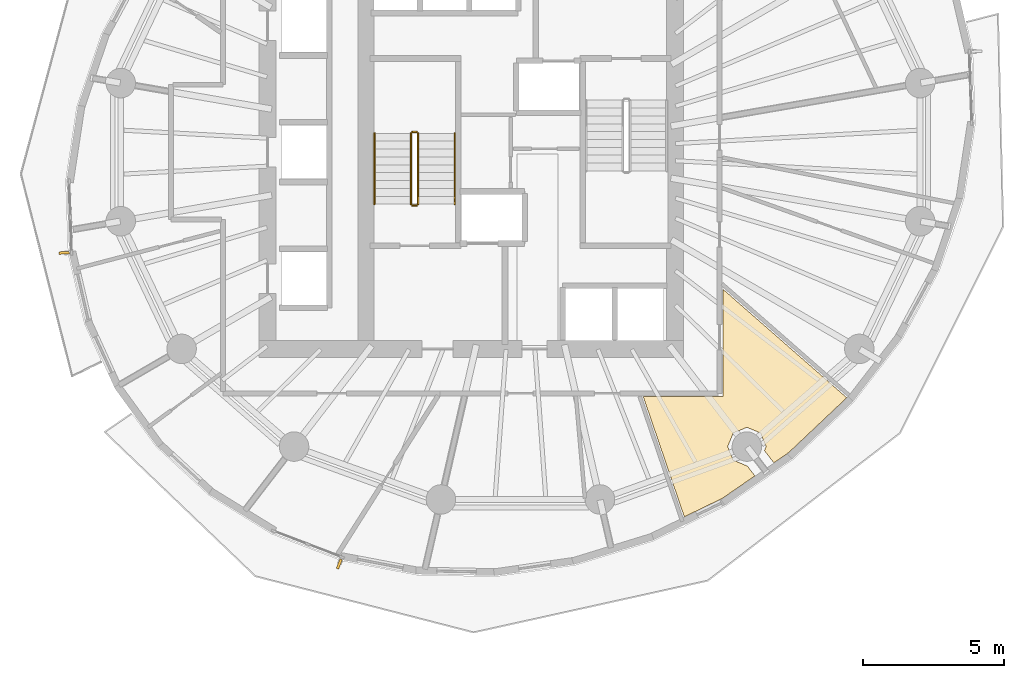
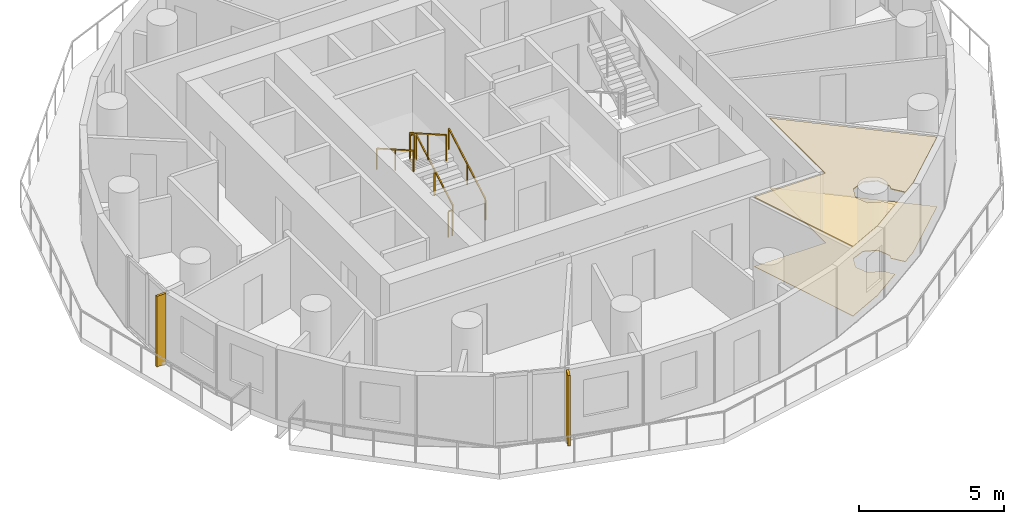
# One storey, part 10 of 14: 6 railings, 2 coverings, 2 shading devices.
"""IFC4 building model written with IfcOpenShell, lengths in metres."""

from ifc_helpers import new_model, si_unit, direction, frame, origin, origin_2d, place, context, subcontext, project, spatial, polyline, rectangle, outline, extrude, material, layer, layer_set, type_object, element, save


model = new_model("IFC4")

# Units and contexts
model_context = context("Model", 3, precision=1e-05, world=origin(), true_north=direction((0.0, 1.0)))
body_context = subcontext(model_context, "Body", "Model", "MODEL_VIEW")
ifc_project = project(units=[si_unit("LENGTHUNIT", "METRE"), si_unit("AREAUNIT", "SQUARE_METRE"), si_unit("VOLUMEUNIT", "CUBIC_METRE"), si_unit("PLANEANGLEUNIT", "RADIAN"), si_unit("MASSUNIT", "GRAM", prefix="KILO")], contexts=[model_context])

# Site, building, storey
site_placement = place(None, origin())
site = spatial("IfcSite", under=ifc_project, at=site_placement, CompositionType="ELEMENT")
building_placement = place(site_placement, origin())
building = spatial("IfcBuilding", under=site, at=building_placement, Name="Veldorim Arch Residences", CompositionType="ELEMENT")
storey_placement = place(building_placement, frame((0.0, 0.0, 129.760009765625)))
storey = spatial("IfcBuildingStorey", under=building, at=storey_placement, Name="L38", CompositionType="ELEMENT", Elevation=129.760009765625)

# Railings
ifc_material_1 = material(Name="Steel S355", Category="steel")
railing_type_1 = type_object("IfcRailingType", Name="Galvanised Steel Stair Safety Guardrail 1100", PredefinedType="GUARDRAIL", material=ifc_material_1)
railing_1_placement = place(storey_placement, frame((28.360107421875, 22.14990234375, 0.159912109375)))
element("IfcRailing", 1, at=railing_1_placement, inside=storey, type_object=railing_type_1, Name="L38 ST-1 stair guard 1", PredefinedType="GUARDRAIL", context=body_context, shape_type="SweptSolid", body=[
    extrude(rectangle(XDim=0.048095703125, YDim=0.048095703125, at=origin_2d()), frame((0.0, 0.0, 1.076171875), z_axis=(0.0, 0.868217259934, 0.496184229447), x_axis=(-1.0, 0.0, 0.0)), (0.0, 0.0, 1.0), 2.902587890625),
    extrude(rectangle(XDim=0.0419921875, YDim=0.0419921875, at=origin_2d()), origin(), (0.0, 0.0, 1.0), 1.052001953125),
    extrude(rectangle(XDim=0.0419921875, YDim=0.0419921875, at=origin_2d()), frame((0.0, 1.260009765625, 0.72021484375)), (0.0, 0.0, 1.0), 1.052001953125),
    extrude(rectangle(XDim=0.0419921875, YDim=0.0419921875, at=origin_2d()), frame((0.0, 2.52001953125, 1.440185546875)), (0.0, 0.0, 1.0), 1.052001953125),
])
railing_2_placement = place(storey_placement, frame((28.31005859375, 24.719970703125, 1.60009765625)))
element("IfcRailing", 2, at=railing_2_placement, inside=storey, type_object=railing_type_1, Name="L38 ST-1 stair guard 2", PredefinedType="GUARDRAIL", context=body_context, shape_type="SweptSolid", body=[
    extrude(rectangle(XDim=0.048095703125, YDim=0.048095703125, at=origin_2d()), frame((0.0, 0.0, 1.076171875), z_axis=(-1.0, 0.0, 0.0), x_axis=(0.0, -1.0, 0.0)), (0.0, 0.0, 1.0), 0.16015625),
    extrude(rectangle(XDim=0.0419921875, YDim=0.0419921875, at=origin_2d()), origin(), (0.0, 0.0, 1.0), 1.052001953125),
    extrude(rectangle(XDim=0.0419921875, YDim=0.0419921875, at=origin_2d()), frame((-0.16015625, 0.0, 0.0)), (0.0, 0.0, 1.0), 1.052001953125),
])
railing_3_placement = place(storey_placement, frame((28.10009765625, 24.669921875, 1.760009765625)))
element("IfcRailing", 3, at=railing_3_placement, inside=storey, type_object=railing_type_1, Name="L38 ST-1 stair guard 3", PredefinedType="GUARDRAIL", context=body_context, shape_type="SweptSolid", body=[
    extrude(rectangle(XDim=0.048095703125, YDim=0.048095703125, at=origin_2d()), frame((0.0, 0.0, 1.076171875), z_axis=(0.0, -0.868253494771, 0.496120820787), x_axis=(1.0, 0.0, 0.0)), (0.0, 0.0, 1.0), 2.90234375),
    extrude(rectangle(XDim=0.0419921875, YDim=0.0419921875, at=origin_2d()), origin(), (0.0, 0.0, 1.0), 1.052001953125),
    extrude(rectangle(XDim=0.0419921875, YDim=0.0419921875, at=origin_2d()), frame((0.0, -1.260009765625, 0.719970703125)), (0.0, 0.0, 1.0), 1.052001953125),
    extrude(rectangle(XDim=0.0419921875, YDim=0.0419921875, at=origin_2d()), frame((0.0, -2.52001953125, 1.43994140625)), (0.0, 0.0, 1.0), 1.052001953125),
])
railing_4_placement = place(storey_placement, frame((28.31005859375, 22.10009765625, 0.0)))
element("IfcRailing", 4, at=railing_4_placement, inside=storey, type_object=railing_type_1, Name="L38 ST-1 stair guard 4", PredefinedType="GUARDRAIL", context=body_context, shape_type="SweptSolid", body=[
    extrude(rectangle(XDim=0.048095703125, YDim=0.048095703125, at=origin_2d()), frame((0.0, 0.0, 1.076171875), z_axis=(-1.0, 0.0, 0.0), x_axis=(0.0, -1.0, 0.0)), (0.0, 0.0, 1.0), 0.16015625),
    extrude(rectangle(XDim=0.0419921875, YDim=0.0419921875, at=origin_2d()), origin(), (0.0, 0.0, 1.0), 1.052001953125),
    extrude(rectangle(XDim=0.0419921875, YDim=0.0419921875, at=origin_2d()), frame((-0.16015625, 0.0, 0.0)), (0.0, 0.0, 1.0), 1.052001953125),
])

# Coverings
ifc_material_2 = material(Name="Acoustic Gypsum & Mineral Fibre", Category="gypsum")
ifc_layer_1 = layer(ifc_material_2, 0.034912109375, Name="Perforated Acoustic Mineral-Fibre Ceiling 35")
ifc_layer_set_1 = layer_set([ifc_layer_1], Name="Acoustic Gypsum & Mineral Fibre")
covering_type_1 = type_object("IfcCoveringType", Name="Perforated Acoustic Mineral-Fibre Ceiling 35", PredefinedType="CEILING", material=ifc_layer_set_1)
covering_1_placement = place(storey_placement, frame((0.0, 0.0, 2.905029296875)))
element("IfcCovering", 5, at=covering_1_placement, inside=storey, type_object=covering_type_1, Name="L38 acoustic suspended ceiling 02", PredefinedType="CEILING", context=body_context, shape_type="SweptSolid", body=[
    extrude(outline(polyline([(40.341552734375, 12.481201171875), (39.181396484375, 11.68115234375), (37.830078125, 11.025390625), (36.368896484375, 15.300048828125), (39.199951171875, 15.300048828125), (39.199951171875, 19.126708984375), (43.610595703125, 15.26171875), (41.542724609375, 13.3095703125), (41.015380859375, 12.946044921875), (40.681396484375, 13.38037109375), (40.74072265625, 13.5234375), (40.5400390625, 14.0078125), (40.055908203125, 14.20849609375), (39.571533203125, 14.0078125), (39.370849609375, 13.5234375), (39.571533203125, 13.039306640625), (40.055908203125, 12.838623046875), (40.064208984375, 12.842041015625), (40.341552734375, 12.481201171875)])), origin(), (0.0, 0.0, 1.0), 0.034912109375),
])
ifc_material_3 = material(Name="Porcelain Ceramic Tile", Category="ceramic")
ifc_layer_2 = layer(ifc_material_3, 0.02001953125, Name="Slip-Resistant Porcelain & Vinyl Floor Finish 20")
ifc_layer_set_2 = layer_set([ifc_layer_2], Name="Porcelain Ceramic Tile")
covering_type_2 = type_object("IfcCoveringType", Name="Slip-Resistant Porcelain & Vinyl Floor Finish 20", PredefinedType="FLOORING", material=ifc_layer_set_2)
covering_2_placement = place(storey_placement, origin())
element("IfcCovering", 6, at=covering_2_placement, inside=storey, type_object=covering_type_2, Name="L38 porcelain floor finish 02", PredefinedType="FLOORING", context=body_context, shape_type="SweptSolid", body=[
    extrude(outline(polyline([(40.341552734375, 12.481201171875), (39.181396484375, 11.68115234375), (37.830078125, 11.025390625), (36.368896484375, 15.300048828125), (39.199951171875, 15.300048828125), (39.199951171875, 19.126708984375), (43.610595703125, 15.26171875), (41.542724609375, 13.3095703125), (41.015380859375, 12.946044921875), (40.681396484375, 13.38037109375), (40.74072265625, 13.5234375), (40.5400390625, 14.0078125), (40.055908203125, 14.20849609375), (39.571533203125, 14.0078125), (39.370849609375, 13.5234375), (39.571533203125, 13.039306640625), (40.055908203125, 12.838623046875), (40.064208984375, 12.842041015625), (40.341552734375, 12.481201171875)])), origin(), (0.0, 0.0, 1.0), 0.02001953125),
])

# Railings
ifc_material_4 = material(Name="Stainless Steel", Category="steel")
railing_type_2 = type_object("IfcRailingType", Name="Tubular Steel Continuous Wall Handrail 900", PredefinedType="HANDRAIL", material=ifc_material_4)
railing_5_placement = place(storey_placement, frame((29.659912109375, 22.14990234375, 0.159912109375)))
element("IfcRailing", 7, at=railing_5_placement, inside=storey, type_object=railing_type_2, Name="L38 ST-1 stair handrail 1", PredefinedType="HANDRAIL", context=body_context, shape_type="SweptSolid", body=[
    extrude(rectangle(XDim=0.048095703125, YDim=0.048095703125, at=origin_2d()), frame((0.0, 0.0, 0.8759765625), z_axis=(0.0, 0.868217259934, 0.496184229447), x_axis=(-1.0, 0.0, 0.0)), (0.0, 0.0, 1.0), 2.902587890625),
    extrude(rectangle(XDim=0.0419921875, YDim=0.0419921875, at=origin_2d()), origin(), (0.0, 0.0, 1.0), 0.851806640625),
    extrude(rectangle(XDim=0.0419921875, YDim=0.0419921875, at=origin_2d()), frame((0.0, 1.260009765625, 0.72021484375)), (0.0, 0.0, 1.0), 0.851806640625),
    extrude(rectangle(XDim=0.0419921875, YDim=0.0419921875, at=origin_2d()), frame((0.0, 2.52001953125, 1.440185546875)), (0.0, 0.0, 1.0), 0.851806640625),
])
railing_6_placement = place(storey_placement, frame((26.800048828125, 24.669921875, 1.760009765625)))
element("IfcRailing", 8, at=railing_6_placement, inside=storey, type_object=railing_type_2, Name="L38 ST-1 stair handrail 2", PredefinedType="HANDRAIL", context=body_context, shape_type="SweptSolid", body=[
    extrude(rectangle(XDim=0.048095703125, YDim=0.048095703125, at=origin_2d()), frame((0.0, 0.0, 0.8759765625), z_axis=(0.0, -0.868253494771, 0.496120820787), x_axis=(1.0, 0.0, 0.0)), (0.0, 0.0, 1.0), 2.90234375),
    extrude(rectangle(XDim=0.0419921875, YDim=0.0419921875, at=origin_2d()), origin(), (0.0, 0.0, 1.0), 0.851806640625),
    extrude(rectangle(XDim=0.0419921875, YDim=0.0419921875, at=origin_2d()), frame((0.0, -1.260009765625, 0.719970703125)), (0.0, 0.0, 1.0), 0.851806640625),
    extrude(rectangle(XDim=0.0419921875, YDim=0.0419921875, at=origin_2d()), frame((0.0, -2.52001953125, 1.43994140625)), (0.0, 0.0, 1.0), 0.851806640625),
])

# Shading devices
ifc_material_5 = material(Name="Terracotta Ceramic", Category="masonry")
ifc_layer_3 = layer(ifc_material_5, 0.090087890625, Name="Vertical Extruded Terracotta Baguette Sun-Shading Fin")
ifc_layer_set_3 = layer_set([ifc_layer_3], Name="Terracotta Ceramic")
shading_device_type = type_object("IfcShadingDeviceType", Name="Vertical Extruded Terracotta Baguette Sun-Shading Fin", PredefinedType="USERDEFINED", material=ifc_layer_set_3)
for number, where, z_axis, x_axis, name in (
    (9, (15.765380859375, 20.416015625, 0.0), (0.0, 0.0, 1.0), (-0.035422771708, 0.999372416692, 0.0), "L38 vertical terracotta sun-shading fin 16"),
    (10, (25.552978515625, 9.343017578125, 0.0), (0.0, 0.0, 1.0), (-0.934079892355, 0.357064076459, 0.0), "L38 vertical terracotta sun-shading fin 22"),
):
    element("IfcShadingDevice", number, at=place(storey_placement, frame(where, z_axis=z_axis, x_axis=x_axis)), inside=storey, type_object=shading_device_type, Name=name, ObjectType="FIN", PredefinedType="USERDEFINED", context=body_context, shape_type="SweptSolid", body=[
        extrude(rectangle(XDim=0.090087890625, YDim=0.360107421875, at=origin_2d()), origin(), (0.0, 0.0, 1.0), 2.9599609375),
    ])

save(model, "model.ifc")
